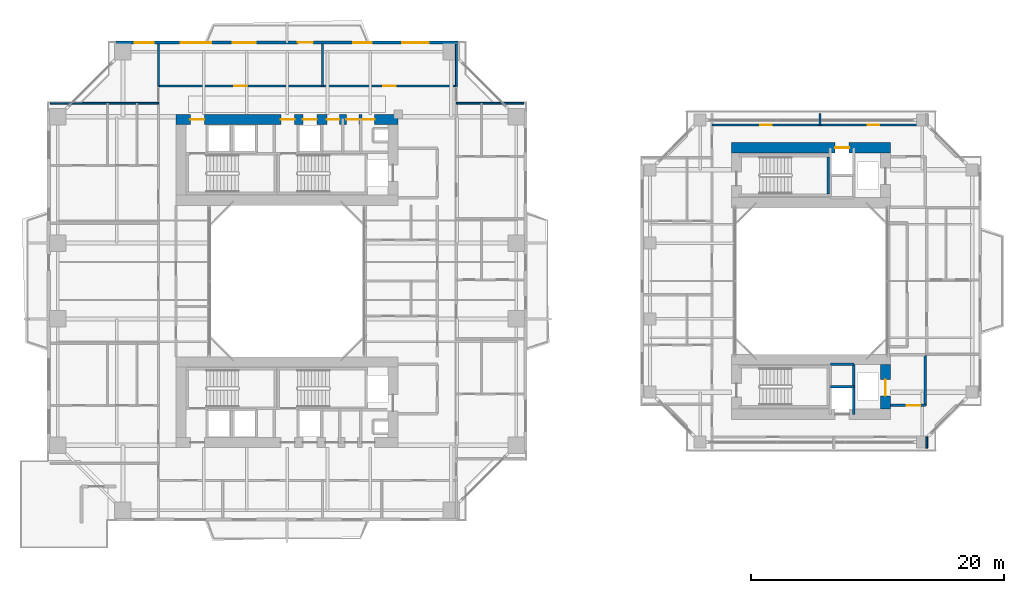
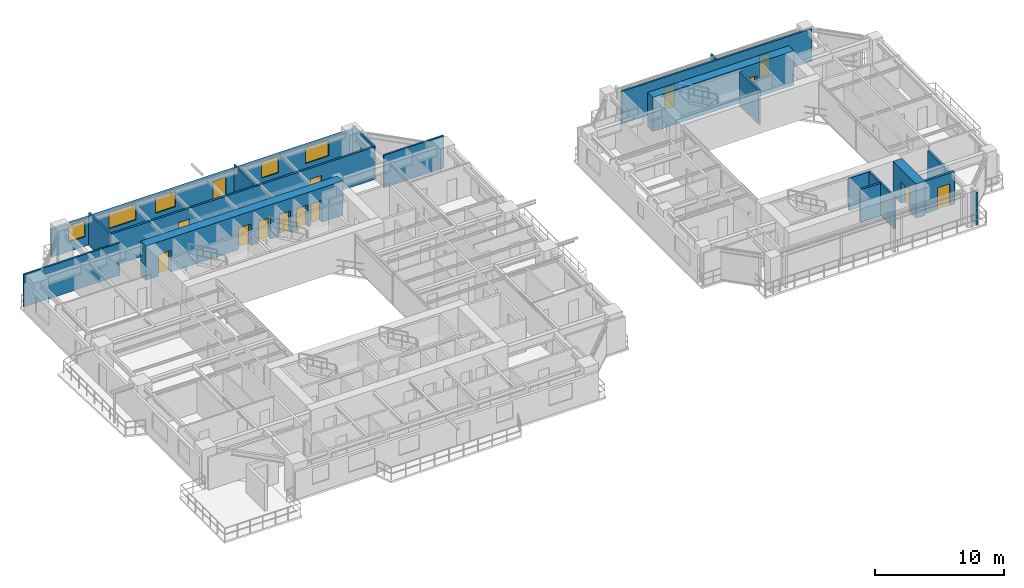
# One storey, part 16 of 22: 19 walls, 14 doors, 5 windows, 19 openings.
"""IFC4 building model written with IfcOpenShell, lengths in metres."""

from ifc_helpers import new_model, si_unit, direction, frame, frame_2d, origin, place, context, subcontext, project, spatial, rectangle, extrude, source, transform, mapped, material, layer, layer_set, type_object, element, fill, save


model = new_model("IFC4")

# Units and contexts
model_context = context("Model", 3, precision=1e-05, world=origin(), true_north=direction((0.0, 1.0)))
body_context = subcontext(model_context, "Body", "Model", "MODEL_VIEW")
ifc_project = project(units=[si_unit("LENGTHUNIT", "METRE"), si_unit("AREAUNIT", "SQUARE_METRE"), si_unit("VOLUMEUNIT", "CUBIC_METRE"), si_unit("PLANEANGLEUNIT", "RADIAN"), si_unit("MASSUNIT", "GRAM", prefix="KILO"), si_unit("THERMODYNAMICTEMPERATUREUNIT", "KELVIN"), si_unit("POWERUNIT", "WATT")], contexts=[model_context])

# Site, building, storey
site_placement = place(None, origin())
site = spatial("IfcSite", under=ifc_project, at=site_placement, CompositionType="ELEMENT")
building_placement = place(site_placement, origin())
building = spatial("IfcBuilding", under=site, at=building_placement, Name="Qiaomeng Ring Towers", CompositionType="ELEMENT")
storey_placement = place(building_placement, frame((0.0, 0.0, 53.5)))
storey = spatial("IfcBuildingStorey", under=building, at=storey_placement, Name="L14", CompositionType="ELEMENT", Elevation=53.5)

# Wall, openings, windows, door
ifc_material_1 = material(Name="Precast concrete C40", Category="concrete")
ifc_layer_1 = layer(ifc_material_1, 0.25, Name="Precast concrete C40")
ifc_layer_set_1 = layer_set([ifc_layer_1], Name="Precast concrete C40")
wall_type_1 = type_object("IfcWallType", Name="ARC-WL-EW1", PredefinedType="STANDARD", material=ifc_layer_set_1)
wall_1_placement = place(storey_placement, frame((5.449951171875, 41.875, 0.0), z_axis=(0.0, 0.0, 1.0), x_axis=(1.0, 0.0, 0.0)))
wall_1 = element("IfcWall", 1, at=wall_1_placement, inside=storey, type_object=wall_type_1, Name="L14 Tower 1 N Exterior Wall", PredefinedType="STANDARD", context=body_context, shape_type="SweptSolid", body=[
    extrude(rectangle(XDim=27.10009765625, YDim=0.25, at=frame_2d((13.550048828125, 0.0))), origin(), (0.0, 0.0, 1.0), 2.610107421875),
])
opening_1_placement = place(wall_1_placement, frame((14.39990234375, 0.0, 0.0)))
opening_1 = element("IfcOpeningElement", 2, at=opening_1_placement, cuts=wall_1, Name="Opening BD1", PredefinedType="OPENING", context=body_context, shape_type="SweptSolid", body=[
    extrude(rectangle(XDim=1.199951171875, YDim=2.10009765625, at=frame_2d((0.60009765625, 1.050048828125))), frame((0.0, 0.135009765625, 0.0), z_axis=(0.0, -1.0, 0.0), x_axis=(1.0, 0.0, 0.0)), (0.0, 0.0, 1.0), 0.27001953125),
])
opening_2_placement = place(wall_1_placement, frame((1.5, 0.0, 0.89990234375)))
opening_2 = element("IfcOpeningElement", 3, at=opening_2_placement, cuts=wall_1, Name="Opening WN2", PredefinedType="OPENING", context=body_context, shape_type="SweptSolid", body=[
    extrude(rectangle(XDim=1.5, YDim=1.5, at=frame_2d((0.75, 0.75))), frame((0.0, 0.135009765625, 0.0), z_axis=(0.0, -1.0, 0.0), x_axis=(1.0, 0.0, 0.0)), (0.0, 0.0, 1.0), 0.27001953125),
])
opening_3_placement = place(wall_1_placement, frame((9.262939453125, 0.0, 0.89990234375)))
opening_3 = element("IfcOpeningElement", 4, at=opening_3_placement, cuts=wall_1, Name="Opening WN1", PredefinedType="OPENING", context=body_context, shape_type="SweptSolid", body=[
    extrude(rectangle(XDim=1.800048828125, YDim=1.449951171875, at=frame_2d((0.89990234375, 0.72509765625))), frame((0.0, 0.135009765625, 0.0), z_axis=(0.0, -1.0, 0.0), x_axis=(1.0, 0.0, 0.0)), (0.0, 0.0, 1.0), 0.27001953125),
])
opening_4_placement = place(wall_1_placement, frame((18.77392578125, 0.0, 0.89990234375)))
opening_4 = element("IfcOpeningElement", 5, at=opening_4_placement, cuts=wall_1, Name="Opening WN2", PredefinedType="OPENING", context=body_context, shape_type="SweptSolid", body=[
    extrude(rectangle(XDim=1.5, YDim=1.5, at=frame_2d((0.75, 0.75))), frame((0.0, 0.135009765625, 0.0), z_axis=(0.0, -1.0, 0.0), x_axis=(1.0, 0.0, 0.0)), (0.0, 0.0, 1.0), 0.27001953125),
])
opening_5_placement = place(wall_1_placement, frame((22.6630859375, 0.0, 0.89990234375)))
opening_5 = element("IfcOpeningElement", 6, at=opening_5_placement, cuts=wall_1, Name="Opening WN4", PredefinedType="OPENING", context=body_context, shape_type="SweptSolid", body=[
    extrude(rectangle(XDim=2.10009765625, YDim=1.47998046875, at=frame_2d((1.050048828125, 0.739990234375))), frame((0.0, 0.135009765625, 0.0), z_axis=(0.0, -1.0, 0.0), x_axis=(1.0, 0.0, 0.0)), (0.0, 0.0, 1.0), 0.27001953125),
])
opening_6_placement = place(wall_1_placement, frame((5.134033203125, 0.0, 0.89990234375)))
opening_6 = element("IfcOpeningElement", 7, at=opening_6_placement, cuts=wall_1, Name="Opening WN6", PredefinedType="OPENING", context=body_context, shape_type="SweptSolid", body=[
    extrude(rectangle(XDim=2.39990234375, YDim=1.5, at=frame_2d((1.199951171875, 0.75))), frame((0.0, 0.135009765625, 0.0), z_axis=(0.0, -1.0, 0.0), x_axis=(1.0, 0.0, 0.0)), (0.0, 0.0, 1.0), 0.27001953125),
])
ifc_material_2 = material(Name="Low-E dark-grey laminated double glazing", Category="glass")
window_type_1 = type_object("IfcWindowType", Name="ARC-WN-4", PartitioningType="TRIPLE_PANEL_VERTICAL", PredefinedType="WINDOW", material=ifc_material_2)
shared_shape_1 = source(origin(), body_context, "Body", "SweptSolid", [
    extrude(rectangle(XDim=2.10009765625, YDim=1.47998046875, at=frame_2d((1.050048828125, 0.739990234375))), frame((0.0, 0.030029296875, 0.0), z_axis=(0.0, -1.0, 0.0), x_axis=(1.0, 0.0, 0.0)), (0.0, 0.0, 1.0), 0.06005859375),
])
window_1_placement = place(opening_5_placement, origin())
window_1 = element("IfcWindow", 8, at=window_1_placement, inside=storey, type_object=window_type_1, Name="L14 Exterior Window WN4", OverallHeight=1.47998046875, OverallWidth=2.10009765625, PartitioningType="TRIPLE_PANEL_VERTICAL", PredefinedType="WINDOW", context=body_context, shape_type="MappedRepresentation", body=[
    mapped(shared_shape_1, transform((0.0, 0.0, 0.0), x_axis=(1.0, 0.0, 0.0), y_axis=(0.0, 1.0, 0.0), z_axis=(0.0, 0.0, 1.0), scale=1.0)),
])
fill(opening_5, window_1)
window_type_2 = type_object("IfcWindowType", Name="ARC-WN-1", PartitioningType="DOUBLE_PANEL_VERTICAL", PredefinedType="WINDOW", material=ifc_material_2)
shared_shape_2 = source(origin(), body_context, "Body", "SweptSolid", [
    extrude(rectangle(XDim=1.800048828125, YDim=1.449951171875, at=frame_2d((0.89990234375, 0.72509765625))), frame((0.0, 0.030029296875, 0.0), z_axis=(0.0, -1.0, 0.0), x_axis=(1.0, 0.0, 0.0)), (0.0, 0.0, 1.0), 0.06005859375),
])
window_2_placement = place(opening_3_placement, origin())
window_2 = element("IfcWindow", 9, at=window_2_placement, inside=storey, type_object=window_type_2, Name="L14 Exterior Window WN1", OverallHeight=1.449951171875, OverallWidth=1.800048828125, PartitioningType="DOUBLE_PANEL_VERTICAL", PredefinedType="WINDOW", context=body_context, shape_type="MappedRepresentation", body=[
    mapped(shared_shape_2, transform((0.0, 0.0, 0.0), x_axis=(1.0, 0.0, 0.0), y_axis=(0.0, 1.0, 0.0), z_axis=(0.0, 0.0, 1.0), scale=1.0)),
])
fill(opening_3, window_2)
door_type_1 = type_object("IfcDoorType", Name="ARC-DR-BD1", OperationType="NOTDEFINED", PredefinedType="DOOR", material=ifc_material_2)
shared_shape_3 = source(origin(), body_context, "Body", "SweptSolid", [
    extrude(rectangle(XDim=1.199951171875, YDim=2.10009765625, at=frame_2d((0.60009765625, 1.050048828125))), frame((0.0, 0.02490234375, 0.0), z_axis=(0.0, -1.0, 0.0), x_axis=(1.0, 0.0, 0.0)), (0.0, 0.0, 1.0), 0.050048828125),
])
door_1_placement = place(opening_1_placement, origin())
door_1 = element("IfcDoor", 10, at=door_1_placement, inside=storey, type_object=door_type_1, Name="L14 N Balcony Glazed Door", OperationType="SINGLE_SWING_LEFT", OverallHeight=2.10009765625, OverallWidth=1.199951171875, PredefinedType="DOOR", context=body_context, shape_type="MappedRepresentation", body=[
    mapped(shared_shape_3, transform((0.0, 0.0, 0.0), x_axis=(1.0, 0.0, 0.0), y_axis=(0.0, 1.0, 0.0), z_axis=(0.0, 0.0, 1.0), scale=1.0)),
])
fill(opening_1, door_1)
window_type_3 = type_object("IfcWindowType", Name="ARC-WN-2", PartitioningType="DOUBLE_PANEL_VERTICAL", PredefinedType="WINDOW", material=ifc_material_2)
shared_shape_4 = source(origin(), body_context, "Body", "SweptSolid", [
    extrude(rectangle(XDim=1.5, YDim=1.5, at=frame_2d((0.75, 0.75))), frame((0.0, 0.030029296875, 0.0), z_axis=(0.0, -1.0, 0.0), x_axis=(1.0, 0.0, 0.0)), (0.0, 0.0, 1.0), 0.06005859375),
])
window_3_placement = place(opening_2_placement, origin())
window_3 = element("IfcWindow", 11, at=window_3_placement, inside=storey, type_object=window_type_3, Name="L14 Exterior Window WN6", OverallHeight=1.5, OverallWidth=1.5, PartitioningType="TRIPLE_PANEL_VERTICAL", PredefinedType="WINDOW", context=body_context, shape_type="MappedRepresentation", body=[
    mapped(shared_shape_4, transform((0.0, 0.0, 0.0), x_axis=(1.0, 0.0, 0.0), y_axis=(0.0, 1.0, 0.0), z_axis=(0.0, 0.0, 1.0), scale=1.0)),
])
fill(opening_2, window_3)
window_4_placement = place(opening_4_placement, origin())
window_4 = element("IfcWindow", 12, at=window_4_placement, inside=storey, type_object=window_type_3, Name="L14 Exterior Window WN2", OverallHeight=1.5, OverallWidth=1.5, PartitioningType="DOUBLE_PANEL_VERTICAL", PredefinedType="WINDOW", context=body_context, shape_type="MappedRepresentation", body=[
    mapped(shared_shape_4, transform((0.0, 0.0, 0.0), x_axis=(1.0, 0.0, 0.0), y_axis=(0.0, 1.0, 0.0), z_axis=(0.0, 0.0, 1.0), scale=1.0)),
])
fill(opening_4, window_4)
window_type_4 = type_object("IfcWindowType", Name="ARC-WN-6", PartitioningType="TRIPLE_PANEL_VERTICAL", PredefinedType="WINDOW", material=ifc_material_2)
shared_shape_5 = source(origin(), body_context, "Body", "SweptSolid", [
    extrude(rectangle(XDim=2.39990234375, YDim=1.5, at=frame_2d((1.199951171875, 0.75))), frame((0.0, 0.030029296875, 0.0), z_axis=(0.0, -1.0, 0.0), x_axis=(1.0, 0.0, 0.0)), (0.0, 0.0, 1.0), 0.06005859375),
])
window_5_placement = place(opening_6_placement, origin())
window_5 = element("IfcWindow", 13, at=window_5_placement, inside=storey, type_object=window_type_4, Name="L14 Exterior Window WN6", OverallHeight=1.5, OverallWidth=2.39990234375, PartitioningType="TRIPLE_PANEL_VERTICAL", PredefinedType="WINDOW", context=body_context, shape_type="MappedRepresentation", body=[
    mapped(shared_shape_5, transform((0.0, 0.0, 0.0), x_axis=(1.0, 0.0, 0.0), y_axis=(0.0, 1.0, 0.0), z_axis=(0.0, 0.0, 1.0), scale=1.0)),
])
fill(opening_6, window_5)

# Wall
ifc_material_3 = material(Name="Autoclaved aerated concrete block", Category="concrete")
ifc_layer_2 = layer(ifc_material_3, 0.199951171875, Name="Autoclaved aerated concrete block")
ifc_layer_set_2 = layer_set([ifc_layer_2], Name="Autoclaved aerated concrete block")
wall_type_2 = type_object("IfcWallType", Name="ARC-WL-PW1", PredefinedType="PARTITIONING", material=ifc_layer_set_2)
wall_2_placement = place(storey_placement, frame((69.550048828125, 13.14990234375, 0.0), z_axis=(0.0, 0.0, 1.0), x_axis=(0.0, 1.0, 0.0)))
element("IfcWall", 14, at=wall_2_placement, inside=storey, type_object=wall_type_2, Name="L14 Interior Wall PW1", PredefinedType="PARTITIONING", context=body_context, shape_type="SweptSolid", body=[
    extrude(rectangle(XDim=4.0, YDim=0.199951171875, at=frame_2d((2.0, 0.0))), origin(), (0.0, 0.0, 1.0), 2.614990234375),
])

# Wall, opening, door
wall_3_placement = place(storey_placement, frame((66.800048828125, 13.14990234375, 0.0), z_axis=(0.0, 0.0, 1.0), x_axis=(1.0, 0.0, 0.0)))
wall_3 = element("IfcWall", 15, at=wall_3_placement, inside=storey, type_object=wall_type_2, Name="L14 Interior Wall PW1", PredefinedType="PARTITIONING", context=body_context, shape_type="SweptSolid", body=[
    extrude(rectangle(XDim=2.75, YDim=0.199951171875, at=frame_2d((1.375, 0.0))), origin(), (0.0, 0.0, 1.0), 3.070068359375),
])
opening_7_placement = place(wall_3_placement, frame((1.25, 0.0, 0.0)))
opening_7 = element("IfcOpeningElement", 16, at=opening_7_placement, cuts=wall_3, Name="Opening FD3", PredefinedType="OPENING", context=body_context, shape_type="SweptSolid", body=[
    extrude(rectangle(XDim=1.10009765625, YDim=2.050048828125, at=frame_2d((0.550048828125, 1.02490234375))), frame((0.0, 0.10986328125, 0.0), z_axis=(0.0, -1.0, 0.0), x_axis=(1.0, 0.0, 0.0)), (0.0, 0.0, 1.0), 0.219970703125),
])
ifc_material_4 = material(Name="Galvanised steel", Category="steel")
door_type_2 = type_object("IfcDoorType", Name="ARC-DR-FD3", OperationType="NOTDEFINED", PredefinedType="DOOR", material=ifc_material_4)
shared_shape_6 = source(origin(), body_context, "Body", "SweptSolid", [
    extrude(rectangle(XDim=1.10009765625, YDim=2.050048828125, at=frame_2d((0.550048828125, 1.02490234375))), frame((0.0, 0.02490234375, 0.0), z_axis=(0.0, -1.0, 0.0), x_axis=(1.0, 0.0, 0.0)), (0.0, 0.0, 1.0), 0.050048828125),
])
door_2_placement = place(opening_7_placement, origin())
door_2 = element("IfcDoor", 17, at=door_2_placement, inside=storey, type_object=door_type_2, Name="L14 Door FD3", OperationType="SINGLE_SWING_LEFT", OverallHeight=2.050048828125, OverallWidth=1.10009765625, PredefinedType="DOOR", context=body_context, shape_type="MappedRepresentation", body=[
    mapped(shared_shape_6, transform((0.0, 0.0, 0.0), x_axis=(1.0, 0.0, 0.0), y_axis=(0.0, 1.0, 0.0), z_axis=(0.0, 0.0, 1.0), scale=1.0)),
])
fill(opening_7, door_2)

# Wall, openings, doors
ifc_layer_3 = layer(ifc_material_3, 0.179931640625, Name="Autoclaved aerated concrete block")
ifc_layer_set_3 = layer_set([ifc_layer_3], Name="Autoclaved aerated concrete block")
wall_type_3 = type_object("IfcWallType", Name="ARC-WL-PW2", PredefinedType="PARTITIONING", material=ifc_layer_set_3)
wall_4_placement = place(storey_placement, frame((8.820068359375, 38.43994140625, 0.0), z_axis=(0.0, 0.0, 1.0), x_axis=(1.0, 0.0, 0.0)))
wall_4 = element("IfcWall", 18, at=wall_4_placement, inside=storey, type_object=wall_type_3, Name="L14 Interior Wall PW2", PredefinedType="PARTITIONING", context=body_context, shape_type="SweptSolid", body=[
    extrude(rectangle(XDim=23.579833984375, YDim=0.179931640625, at=frame_2d((11.7900390625, 0.0))), origin(), (0.0, 0.0, 1.0), 3.070068359375),
])
opening_8_placement = place(wall_4_placement, frame((5.989990234375, 0.0, 0.0)))
opening_8 = element("IfcOpeningElement", 19, at=opening_8_placement, cuts=wall_4, Name="Opening FD4", PredefinedType="OPENING", context=body_context, shape_type="SweptSolid", body=[
    extrude(rectangle(XDim=1.0, YDim=2.050048828125, at=frame_2d((0.5, 1.02490234375))), frame((0.0, 0.099853515625, 0.0), z_axis=(0.0, -1.0, 0.0), x_axis=(1.0, 0.0, 0.0)), (0.0, 0.0, 1.0), 0.199951171875),
])
opening_9_placement = place(wall_4_placement, frame((17.780029296875, 0.0, 0.0)))
opening_9 = element("IfcOpeningElement", 20, at=opening_9_placement, cuts=wall_4, Name="Opening FD4", PredefinedType="OPENING", context=body_context, shape_type="SweptSolid", body=[
    extrude(rectangle(XDim=1.0, YDim=2.050048828125, at=frame_2d((0.5, 1.02490234375))), frame((0.0, 0.099853515625, 0.0), z_axis=(0.0, -1.0, 0.0), x_axis=(1.0, 0.0, 0.0)), (0.0, 0.0, 1.0), 0.199951171875),
])
ifc_material_5 = material(Name="Engineered fire-rated oak timber", Category="wood")
door_type_3 = type_object("IfcDoorType", Name="ARC-DR-FD4", OperationType="NOTDEFINED", PredefinedType="DOOR", material=ifc_material_5)
shared_shape_7 = source(origin(), body_context, "Body", "SweptSolid", [
    extrude(rectangle(XDim=1.0, YDim=2.050048828125, at=frame_2d((0.5, 1.02490234375))), frame((0.0, 0.02490234375, 0.0), z_axis=(0.0, -1.0, 0.0), x_axis=(1.0, 0.0, 0.0)), (0.0, 0.0, 1.0), 0.050048828125),
])
door_3_placement = place(opening_8_placement, origin())
door_3 = element("IfcDoor", 21, at=door_3_placement, inside=storey, type_object=door_type_3, Name="L14 Door FD4", OperationType="SINGLE_SWING_LEFT", OverallHeight=2.050048828125, OverallWidth=1.0, PredefinedType="DOOR", context=body_context, shape_type="MappedRepresentation", body=[
    mapped(shared_shape_7, transform((0.0, 0.0, 0.0), x_axis=(1.0, 0.0, 0.0), y_axis=(0.0, 1.0, 0.0), z_axis=(0.0, 0.0, 1.0), scale=1.0)),
])
fill(opening_8, door_3)
door_4_placement = place(opening_9_placement, origin())
door_4 = element("IfcDoor", 22, at=door_4_placement, inside=storey, type_object=door_type_3, Name="L14 Door FD4", OperationType="SINGLE_SWING_RIGHT", OverallHeight=2.050048828125, OverallWidth=1.0, PredefinedType="DOOR", context=body_context, shape_type="MappedRepresentation", body=[
    mapped(shared_shape_7, transform((0.0, 0.0, 0.0), x_axis=(1.0, 0.0, 0.0), y_axis=(0.0, 1.0, 0.0), z_axis=(0.0, 0.0, 1.0), scale=1.0)),
])
fill(opening_9, door_4)

wall_5_placement = place(storey_placement, frame((52.64990234375, 35.35009765625, 0.0), z_axis=(0.0, 0.0, 1.0), x_axis=(1.0, 0.0, 0.0)))
wall_5 = element("IfcWall", 23, at=wall_5_placement, inside=storey, type_object=wall_type_3, Name="L14 Interior Wall PW2", PredefinedType="PARTITIONING", context=body_context, shape_type="SweptSolid", body=[
    extrude(rectangle(XDim=17.0, YDim=0.179931640625, at=frame_2d((8.5, 0.0))), origin(), (0.0, 0.0, 1.0), 3.070068359375),
])
opening_10_placement = place(wall_5_placement, frame((3.824951171875, 0.0, 0.0)))
opening_10 = element("IfcOpeningElement", 24, at=opening_10_placement, cuts=wall_5, Name="Opening ID1", PredefinedType="OPENING", context=body_context, shape_type="SweptSolid", body=[
    extrude(rectangle(XDim=0.89990234375, YDim=2.050048828125, at=frame_2d((0.449951171875, 1.02490234375))), frame((0.0, 0.099853515625, 0.0), z_axis=(0.0, -1.0, 0.0), x_axis=(1.0, 0.0, 0.0)), (0.0, 0.0, 1.0), 0.199951171875),
])
opening_11_placement = place(wall_5_placement, frame((12.324951171875, 0.0, 0.0)))
opening_11 = element("IfcOpeningElement", 25, at=opening_11_placement, cuts=wall_5, Name="Opening ID1", PredefinedType="OPENING", context=body_context, shape_type="SweptSolid", body=[
    extrude(rectangle(XDim=0.89990234375, YDim=2.050048828125, at=frame_2d((0.449951171875, 1.02490234375))), frame((0.0, 0.099853515625, 0.0), z_axis=(0.0, -1.0, 0.0), x_axis=(1.0, 0.0, 0.0)), (0.0, 0.0, 1.0), 0.199951171875),
])
ifc_material_6 = material(Name="Engineered oak timber", Category="wood")
door_type_4 = type_object("IfcDoorType", Name="ARC-DR-ID1", OperationType="NOTDEFINED", PredefinedType="DOOR", material=ifc_material_6)
shared_shape_8 = source(origin(), body_context, "Body", "SweptSolid", [
    extrude(rectangle(XDim=0.89990234375, YDim=2.050048828125, at=frame_2d((0.449951171875, 1.02490234375))), frame((0.0, 0.02490234375, 0.0), z_axis=(0.0, -1.0, 0.0), x_axis=(1.0, 0.0, 0.0)), (0.0, 0.0, 1.0), 0.050048828125),
])
door_5_placement = place(opening_10_placement, origin())
door_5 = element("IfcDoor", 26, at=door_5_placement, inside=storey, type_object=door_type_4, Name="L14 Door ID1", OperationType="SINGLE_SWING_LEFT", OverallHeight=2.050048828125, OverallWidth=0.89990234375, PredefinedType="DOOR", context=body_context, shape_type="MappedRepresentation", body=[
    mapped(shared_shape_8, transform((0.0, 0.0, 0.0), x_axis=(1.0, 0.0, 0.0), y_axis=(0.0, 1.0, 0.0), z_axis=(0.0, 0.0, 1.0), scale=1.0)),
])
fill(opening_10, door_5)
door_6_placement = place(opening_11_placement, origin())
door_6 = element("IfcDoor", 27, at=door_6_placement, inside=storey, type_object=door_type_4, Name="L14 Door ID1", OperationType="SINGLE_SWING_RIGHT", OverallHeight=2.050048828125, OverallWidth=0.89990234375, PredefinedType="DOOR", context=body_context, shape_type="MappedRepresentation", body=[
    mapped(shared_shape_8, transform((0.0, 0.0, 0.0), x_axis=(1.0, 0.0, 0.0), y_axis=(0.0, 1.0, 0.0), z_axis=(0.0, 0.0, 1.0), scale=1.0)),
])
fill(opening_11, door_6)

# Walls
ifc_material_7 = material(Name="Gypsum fireboard steel-stud partition", Category="steel")
ifc_layer_4 = layer(ifc_material_7, 0.14990234375, Name="Gypsum fireboard steel-stud partition")
ifc_layer_set_4 = layer_set([ifc_layer_4], Name="Gypsum fireboard steel-stud partition")
wall_type_4 = type_object("IfcWallType", Name="ARC-WL-PW3", PredefinedType="PARTITIONING", material=ifc_layer_set_4)
for number, where, z_axis, x_axis, name in (
    (28, (21.800048828125, 38.43994140625, 0.0), (0.0, 0.0, 1.0), (0.0, 1.0, 0.0), "L14 Interior Wall PW3"),
    (29, (8.820068359375, 38.43994140625, 0.0), (0.0, 0.0, 1.0), (0.0, 1.0, 0.0), "L14 Interior Wall PW3"),
    (30, (32.39990234375, 38.43994140625, 0.0), (0.0, 0.0, 1.0), (0.0, 1.0, 0.0), "L14 Interior Wall PW3"),
):
    element("IfcWall", number, at=place(storey_placement, frame(where, z_axis=z_axis, x_axis=x_axis)), inside=storey, type_object=wall_type_4, Name=name, PredefinedType="PARTITIONING", context=body_context, shape_type="SweptSolid", body=[
        extrude(rectangle(XDim=3.31005859375, YDim=0.14990234375, at=frame_2d((1.655029296875, 0.0))), origin(), (0.0, 0.0, 1.0), 3.070068359375),
    ])
wall_6_placement = place(storey_placement, frame((0.25, 37.080078125, 0.0), z_axis=(0.0, 0.0, 1.0), x_axis=(1.0, 0.0, 0.0)))
element("IfcWall", 31, at=wall_6_placement, inside=storey, type_object=wall_type_4, Name="L14 Interior Wall PW3", PredefinedType="PARTITIONING", context=body_context, shape_type="SweptSolid", body=[
    extrude(rectangle(XDim=8.570068359375, YDim=0.14990234375, at=frame_2d((4.28515625, 0.0))), origin(), (0.0, 0.0, 1.0), 3.070068359375),
])
wall_7_placement = place(storey_placement, frame((32.39990234375, 37.080078125, 0.0), z_axis=(0.0, 0.0, 1.0), x_axis=(1.0, 0.0, 0.0)))
element("IfcWall", 32, at=wall_7_placement, inside=storey, type_object=wall_type_4, Name="L14 Interior Wall PW3", PredefinedType="PARTITIONING", context=body_context, shape_type="SweptSolid", body=[
    extrude(rectangle(XDim=5.35009765625, YDim=0.14990234375, at=frame_2d((2.675048828125, 0.0))), origin(), (0.0, 0.0, 1.0), 3.070068359375),
])
for number, where, z_axis, x_axis, name in (
    (33, (61.199951171875, 35.35009765625, 0.0), (0.0, 0.0, 1.0), (0.0, 1.0, 0.0), "L14 Interior Wall PW3"),
    (34, (69.64990234375, 9.75, 0.0), (0.0, 0.0, 1.0), (0.0, 1.0, 0.0), "L14 Interior Wall PW3"),
):
    element("IfcWall", number, at=place(storey_placement, frame(where, z_axis=z_axis, x_axis=x_axis)), inside=storey, type_object=wall_type_4, Name=name, PredefinedType="PARTITIONING", context=body_context, shape_type="SweptSolid", body=[
        extrude(rectangle(XDim=0.89990234375, YDim=0.14990234375, at=frame_2d((0.449951171875, 0.0))), origin(), (0.0, 0.0, 1.0), 3.070068359375),
    ])
ifc_material_8 = material(Name="Concrete C40", Category="concrete")
ifc_layer_5 = layer(ifc_material_8, 0.199951171875, Name="Concrete C40")
ifc_layer_set_5 = layer_set([ifc_layer_5], Name="Concrete C40")
wall_type_5 = type_object("IfcWallType", Name="STR-WL-STSHAFT", PredefinedType="SHEAR", material=ifc_layer_set_5)
wall_8_placement = place(storey_placement, frame((63.8798828125, 12.449951171875, 0.0), z_axis=(0.0, 0.0, 1.0), x_axis=(0.0, 1.0, 0.0)))
element("IfcWall", 35, at=wall_8_placement, inside=storey, type_object=wall_type_5, Name="L14 Companion Lift Shaft East Wall S", PredefinedType="SHEAR", context=body_context, shape_type="SweptSolid", body=[
    extrude(rectangle(XDim=3.949951171875, YDim=0.179931640625, at=frame_2d((1.97509765625, 0.0))), origin(), (0.0, 0.0, 1.0), 3.070068359375),
])
for number, where, z_axis, x_axis, name in (
    (36, (62.02001953125, 14.6201171875, 0.0), (0.0, 0.0, 1.0), (1.0, 0.0, 0.0), "L14 Companion Lift Shaft Divider Wall S"),
    (37, (62.02001953125, 16.39990234375, 0.0), (0.0, 0.0, 1.0), (1.0, 0.0, 0.0), "L14 Companion Riser Shaft Back Wall S"),
):
    element("IfcWall", number, at=place(storey_placement, frame(where, z_axis=z_axis, x_axis=x_axis)), inside=storey, type_object=wall_type_5, Name=name, PredefinedType="SHEAR", context=body_context, shape_type="SweptSolid", body=[
        extrude(rectangle(XDim=1.85986328125, YDim=0.179931640625, at=frame_2d((0.929931640625, 0.0))), origin(), (0.0, 0.0, 1.0), 3.070068359375),
    ])
wall_9_placement = place(storey_placement, frame((61.85009765625, 29.89990234375, 0.0), z_axis=(0.0, 0.0, 1.0), x_axis=(0.0, 1.0, 0.0)))
element("IfcWall", 38, at=wall_9_placement, inside=storey, type_object=wall_type_5, Name="L14 Stair ST5 East Shaft Shear Wall", PredefinedType="SHEAR", context=body_context, shape_type="SweptSolid", body=[
    extrude(rectangle(XDim=2.940185546875, YDim=0.199951171875, at=frame_2d((1.47021484375, 0.0))), origin(), (0.0, 0.0, 1.0), 3.25),
])

# Wall, openings, doors
ifc_material_9 = material(Name="Concrete C60", Category="concrete")
ifc_layer_6 = layer(ifc_material_9, 0.800048828125, Name="Concrete C60")
ifc_layer_set_6 = layer_set([ifc_layer_6], Name="Concrete C60")
wall_type_6 = type_object("IfcWallType", Name="STR-WL-SW1", PredefinedType="SHEAR", material=ifc_layer_set_6)
wall_10_placement = place(storey_placement, frame((10.199951171875, 35.800048828125, 0.0), z_axis=(0.0, 0.0, 1.0), x_axis=(1.0, 0.0, 0.0)))
wall_10 = element("IfcWall", 39, at=wall_10_placement, inside=storey, type_object=wall_type_6, Name="L14 T1NC north core shear wall", PredefinedType="SHEAR", context=body_context, shape_type="SweptSolid", body=[
    extrude(rectangle(XDim=17.60009765625, YDim=0.800048828125, at=frame_2d((8.800048828125, 0.0))), origin(), (0.0, 0.0, 1.0), 3.25),
])
opening_12_placement = place(wall_10_placement, frame((1.14990234375, 0.0, 0.0)))
opening_12 = element("IfcOpeningElement", 40, at=opening_12_placement, cuts=wall_10, Name="Opening FD3", PredefinedType="OPENING", context=body_context, shape_type="SweptSolid", body=[
    extrude(rectangle(XDim=1.10009765625, YDim=2.050048828125, at=frame_2d((0.550048828125, 1.02490234375))), frame((0.0, 0.409912109375, 0.0), z_axis=(0.0, -1.0, 0.0), x_axis=(1.0, 0.0, 0.0)), (0.0, 0.0, 1.0), 0.820068359375),
])
opening_13_placement = place(wall_10_placement, frame((8.300048828125, 0.0, 0.0)))
opening_13 = element("IfcOpeningElement", 41, at=opening_13_placement, cuts=wall_10, Name="Opening FD3", PredefinedType="OPENING", context=body_context, shape_type="SweptSolid", body=[
    extrude(rectangle(XDim=1.10009765625, YDim=2.050048828125, at=frame_2d((0.550048828125, 1.02490234375))), frame((0.0, 0.409912109375, 0.0), z_axis=(0.0, -1.0, 0.0), x_axis=(1.0, 0.0, 0.0)), (0.0, 0.0, 1.0), 0.820068359375),
])
opening_14_placement = place(wall_10_placement, frame((10.050048828125, 0.0, 0.0)))
opening_14 = element("IfcOpeningElement", 42, at=opening_14_placement, cuts=wall_10, Name="Opening LD1", PredefinedType="OPENING", context=body_context, shape_type="SweptSolid", body=[
    extrude(rectangle(XDim=1.10009765625, YDim=2.050048828125, at=frame_2d((0.550048828125, 1.02490234375))), frame((0.0, 0.409912109375, 0.0), z_axis=(0.0, -1.0, 0.0), x_axis=(1.0, 0.0, 0.0)), (0.0, 0.0, 1.0), 0.820068359375),
])
opening_15_placement = place(wall_10_placement, frame((14.739990234375, 0.0, 0.0)))
opening_15 = element("IfcOpeningElement", 43, at=opening_15_placement, cuts=wall_10, Name="Opening FD1", PredefinedType="OPENING", context=body_context, shape_type="SweptSolid", body=[
    extrude(rectangle(XDim=1.0, YDim=2.050048828125, at=frame_2d((0.5, 1.02490234375))), frame((0.0, 0.409912109375, 0.0), z_axis=(0.0, -1.0, 0.0), x_axis=(1.0, 0.0, 0.0)), (0.0, 0.0, 1.0), 0.820068359375),
])
opening_16_placement = place(wall_10_placement, frame((11.949951171875, 0.0, 0.0)))
opening_16 = element("IfcOpeningElement", 44, at=opening_16_placement, cuts=wall_10, Name="Opening FD1", PredefinedType="OPENING", context=body_context, shape_type="SweptSolid", body=[
    extrude(rectangle(XDim=1.0, YDim=2.050048828125, at=frame_2d((0.5, 1.02490234375))), frame((0.0, 0.409912109375, 0.0), z_axis=(0.0, -1.0, 0.0), x_axis=(1.0, 0.0, 0.0)), (0.0, 0.0, 1.0), 0.820068359375),
])
opening_17_placement = place(wall_10_placement, frame((13.485107421875, 0.0, 0.0)))
opening_17 = element("IfcOpeningElement", 45, at=opening_17_placement, cuts=wall_10, Name="Opening FD1", PredefinedType="OPENING", context=body_context, shape_type="SweptSolid", body=[
    extrude(rectangle(XDim=1.0, YDim=2.050048828125, at=frame_2d((0.5, 1.02490234375))), frame((0.0, 0.409912109375, 0.0), z_axis=(0.0, -1.0, 0.0), x_axis=(1.0, 0.0, 0.0)), (0.0, 0.0, 1.0), 0.820068359375),
])
door_7_placement = place(opening_12_placement, origin())
door_7 = element("IfcDoor", 46, at=door_7_placement, inside=storey, type_object=door_type_2, Name="L14 Stair ST1 Lobby Door", OperationType="SINGLE_SWING_LEFT", OverallHeight=2.050048828125, OverallWidth=1.10009765625, PredefinedType="DOOR", context=body_context, shape_type="MappedRepresentation", body=[
    mapped(shared_shape_6, transform((0.0, 0.0, 0.0), x_axis=(1.0, 0.0, 0.0), y_axis=(0.0, 1.0, 0.0), z_axis=(0.0, 0.0, 1.0), scale=1.0)),
])
fill(opening_12, door_7)
door_8_placement = place(opening_13_placement, origin())
door_8 = element("IfcDoor", 47, at=door_8_placement, inside=storey, type_object=door_type_2, Name="L14 Stair ST2 Lobby Door", OperationType="SINGLE_SWING_LEFT", OverallHeight=2.050048828125, OverallWidth=1.10009765625, PredefinedType="DOOR", context=body_context, shape_type="MappedRepresentation", body=[
    mapped(shared_shape_6, transform((0.0, 0.0, 0.0), x_axis=(1.0, 0.0, 0.0), y_axis=(0.0, 1.0, 0.0), z_axis=(0.0, 0.0, 1.0), scale=1.0)),
])
fill(opening_13, door_8)
ifc_material_10 = material(Name="Stainless steel 316", Category="steel")
door_type_5 = type_object("IfcDoorType", Name="ARC-DR-LD1", OperationType="NOTDEFINED", PredefinedType="DOOR", material=ifc_material_10)
door_9_placement = place(opening_14_placement, origin())
door_9 = element("IfcDoor", 48, at=door_9_placement, inside=storey, type_object=door_type_5, Name="L14 Low-Zone Lift LP1 Landing Door", OperationType="SLIDING_TO_LEFT", OverallHeight=2.050048828125, OverallWidth=1.10009765625, PredefinedType="DOOR", context=body_context, shape_type="MappedRepresentation", body=[
    mapped(shared_shape_6, transform((0.0, 0.0, 0.0), x_axis=(1.0, 0.0, 0.0), y_axis=(0.0, 1.0, 0.0), z_axis=(0.0, 0.0, 1.0), scale=1.0)),
])
fill(opening_14, door_9)
door_type_6 = type_object("IfcDoorType", Name="ARC-DR-FD1", OperationType="NOTDEFINED", PredefinedType="DOOR", material=ifc_material_4)
door_10_placement = place(opening_15_placement, origin())
door_10 = element("IfcDoor", 49, at=door_10_placement, inside=storey, type_object=door_type_6, Name="L14 North Electrical Riser Door", OperationType="SINGLE_SWING_LEFT", OverallHeight=2.050048828125, OverallWidth=1.0, PredefinedType="DOOR", context=body_context, shape_type="MappedRepresentation", body=[
    mapped(shared_shape_7, transform((0.0, 0.0, 0.0), x_axis=(1.0, 0.0, 0.0), y_axis=(0.0, 1.0, 0.0), z_axis=(0.0, 0.0, 1.0), scale=1.0)),
])
fill(opening_15, door_10)
door_11_placement = place(opening_16_placement, origin())
door_11 = element("IfcDoor", 50, at=door_11_placement, inside=storey, type_object=door_type_6, Name="L14 North Tea Pantry Door", OperationType="SINGLE_SWING_LEFT", OverallHeight=2.050048828125, OverallWidth=1.0, PredefinedType="DOOR", context=body_context, shape_type="MappedRepresentation", body=[
    mapped(shared_shape_7, transform((0.0, 0.0, 0.0), x_axis=(1.0, 0.0, 0.0), y_axis=(0.0, 1.0, 0.0), z_axis=(0.0, 0.0, 1.0), scale=1.0)),
])
fill(opening_16, door_11)
door_12_placement = place(opening_17_placement, origin())
door_12 = element("IfcDoor", 51, at=door_12_placement, inside=storey, type_object=door_type_6, Name="L14 North Cleaners Cupboard Door", OperationType="SINGLE_SWING_RIGHT", OverallHeight=2.050048828125, OverallWidth=1.0, PredefinedType="DOOR", context=body_context, shape_type="MappedRepresentation", body=[
    mapped(shared_shape_7, transform((0.0, 0.0, 0.0), x_axis=(1.0, 0.0, 0.0), y_axis=(0.0, 1.0, 0.0), z_axis=(0.0, 0.0, 1.0), scale=1.0)),
])
fill(opening_17, door_12)

# Wall, opening, door
wall_11_placement = place(storey_placement, frame((54.199951171875, 33.550048828125, 0.0), z_axis=(0.0, 0.0, 1.0), x_axis=(1.0, 0.0, 0.0)))
wall_11 = element("IfcWall", 52, at=wall_11_placement, inside=storey, type_object=wall_type_6, Name="L14 T2NC north core shear wall", PredefinedType="SHEAR", context=body_context, shape_type="SweptSolid", body=[
    extrude(rectangle(XDim=12.60009765625, YDim=0.800048828125, at=frame_2d((6.300048828125, 0.0))), origin(), (0.0, 0.0, 1.0), 3.25),
])
opening_18_placement = place(wall_11_placement, frame((8.199951171875, 0.0, 0.0)))
opening_18 = element("IfcOpeningElement", 53, at=opening_18_placement, cuts=wall_11, Name="Opening LD1", PredefinedType="OPENING", context=body_context, shape_type="SweptSolid", body=[
    extrude(rectangle(XDim=1.10009765625, YDim=2.050048828125, at=frame_2d((0.550048828125, 1.02490234375))), frame((0.0, 0.409912109375, 0.0), z_axis=(0.0, -1.0, 0.0), x_axis=(1.0, 0.0, 0.0)), (0.0, 0.0, 1.0), 0.820068359375),
])
door_13_placement = place(opening_18_placement, origin())
door_13 = element("IfcDoor", 54, at=door_13_placement, inside=storey, type_object=door_type_5, Name="L14 Companion Lift LP7 Landing Door", OperationType="SLIDING_TO_LEFT", OverallHeight=2.050048828125, OverallWidth=1.10009765625, PredefinedType="DOOR", context=body_context, shape_type="MappedRepresentation", body=[
    mapped(shared_shape_6, transform((0.0, 0.0, 0.0), x_axis=(1.0, 0.0, 0.0), y_axis=(0.0, 1.0, 0.0), z_axis=(0.0, 0.0, 1.0), scale=1.0)),
])
fill(opening_18, door_13)

wall_12_placement = place(storey_placement, frame((66.39990234375, 12.85009765625, 0.0), z_axis=(0.0, 0.0, 1.0), x_axis=(0.0, 1.0, 0.0)))
wall_12 = element("IfcWall", 55, at=wall_12_placement, inside=storey, type_object=wall_type_6, Name="L14 T2SC east core shear wall", PredefinedType="SHEAR", context=body_context, shape_type="SweptSolid", body=[
    extrude(rectangle(XDim=3.5498046875, YDim=0.800048828125, at=frame_2d((1.77490234375, 0.0))), origin(), (0.0, 0.0, 1.0), 3.25),
])
opening_19_placement = place(wall_12_placement, frame((1.050048828125, 0.0, 0.0)))
opening_19 = element("IfcOpeningElement", 56, at=opening_19_placement, cuts=wall_12, Name="Opening LD2", PredefinedType="OPENING", context=body_context, shape_type="SweptSolid", body=[
    extrude(rectangle(XDim=1.300048828125, YDim=2.050048828125, at=frame_2d((0.64990234375, 1.02490234375))), frame((0.0, 0.409912109375, 0.0), z_axis=(0.0, -1.0, 0.0), x_axis=(1.0, 0.0, 0.0)), (0.0, 0.0, 1.0), 0.820068359375),
])
door_type_7 = type_object("IfcDoorType", Name="ARC-DR-LD2", OperationType="NOTDEFINED", PredefinedType="DOOR", material=ifc_material_10)
shared_shape_9 = source(origin(), body_context, "Body", "SweptSolid", [
    extrude(rectangle(XDim=1.300048828125, YDim=2.050048828125, at=frame_2d((0.64990234375, 1.02490234375))), frame((0.0, 0.02490234375, 0.0), z_axis=(0.0, -1.0, 0.0), x_axis=(1.0, 0.0, 0.0)), (0.0, 0.0, 1.0), 0.050048828125),
])
door_14_placement = place(opening_19_placement, origin())
door_14 = element("IfcDoor", 57, at=door_14_placement, inside=storey, type_object=door_type_7, Name="L14 Firefighting Lift FL4 Landing Door", OperationType="SLIDING_TO_RIGHT", OverallHeight=2.050048828125, OverallWidth=1.300048828125, PredefinedType="DOOR", context=body_context, shape_type="MappedRepresentation", body=[
    mapped(shared_shape_9, transform((0.0, 0.0, 0.0), x_axis=(1.0, 0.0, 0.0), y_axis=(0.0, 1.0, 0.0), z_axis=(0.0, 0.0, 1.0), scale=1.0)),
])
fill(opening_19, door_14)

save(model, "model.ifc")
